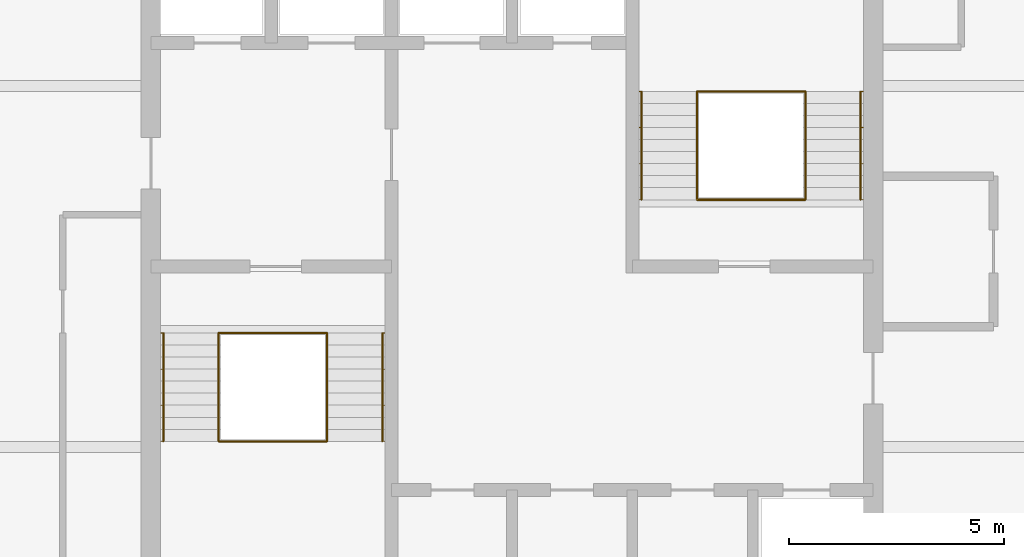
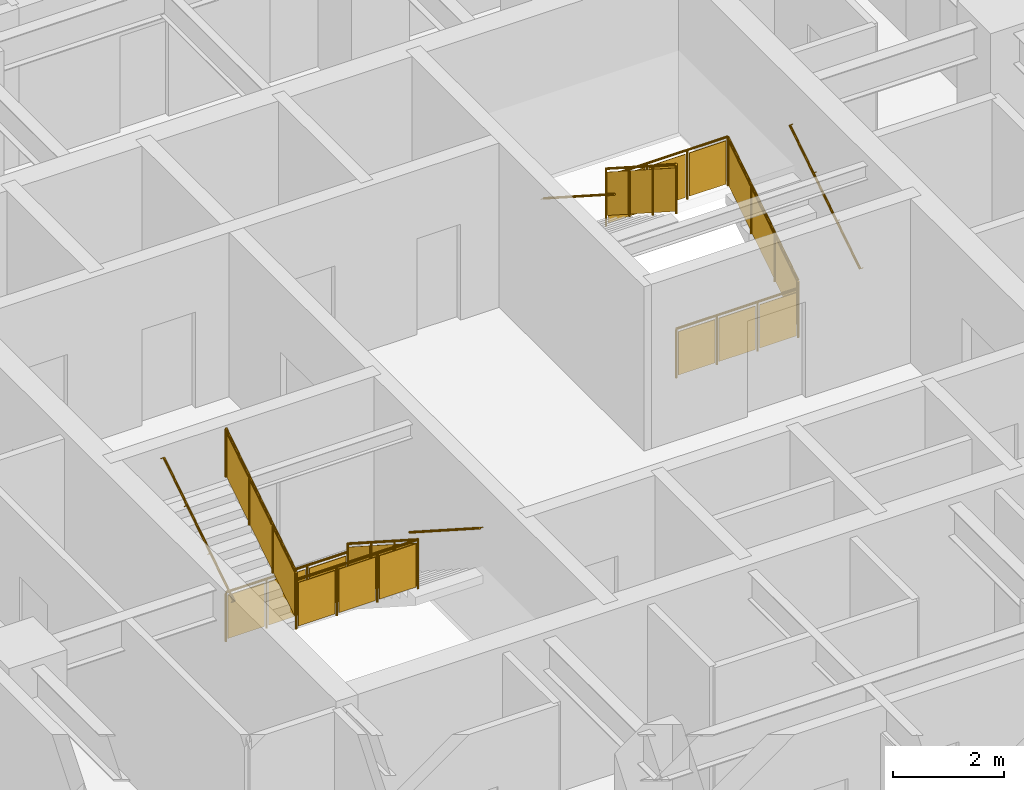
# One storey, part 10 of 10: 12 railings.
"""IFC4 building model written with IfcOpenShell, lengths in metres."""

from ifc_helpers import new_model, si_unit, direction, frame, origin, origin_2d, place, context, subcontext, project, spatial, polyline, circle, outline, extrude, material, type_object, element, save


model = new_model("IFC4")

# Units and contexts
model_context = context("Model", 3, precision=1e-05, world=origin(), true_north=direction((0.0, 1.0)))
body_context = subcontext(model_context, "Body", "Model", "MODEL_VIEW")
ifc_project = project(units=[si_unit("LENGTHUNIT", "METRE"), si_unit("AREAUNIT", "SQUARE_METRE"), si_unit("VOLUMEUNIT", "CUBIC_METRE"), si_unit("PLANEANGLEUNIT", "RADIAN"), si_unit("MASSUNIT", "GRAM", prefix="KILO")], contexts=[model_context])

# Site, building, storey
site_placement = place(None, origin())
site = spatial("IfcSite", under=ifc_project, at=site_placement, CompositionType="ELEMENT")
building_placement = place(site_placement, origin())
building = spatial("IfcBuilding", under=site, at=building_placement, Name="Torre Alcanfor", CompositionType="ELEMENT")
storey_placement = place(building_placement, frame((0.0, 0.0, 293.699951171875)))
storey = spatial("IfcBuildingStorey", under=building, at=storey_placement, Name="L77", CompositionType="ELEMENT", Elevation=293.699951171875)

# Railings
ifc_material_1 = material(Name="Steel ASTM A500 Grade C hollow sections", Category="steel")
railing_type_1 = type_object("IfcRailingType", Name="Stair guard and handrail 1100", PredefinedType="GUARDRAIL", material=ifc_material_1)
railing_1_placement = place(storey_placement, frame((25.10009765625, 27.85009765625, 0.179931640625)))
element("IfcRailing", 1, at=railing_1_placement, inside=storey, type_object=railing_type_1, Name="Stair guard S1 L77 flight 1", PredefinedType="GUARDRAIL", context=body_context, shape_type="SweptSolid", body=[
    extrude(circle(Radius=0.02392578125, at=origin_2d()), frame((0.0, 0.0, 1.076171875), z_axis=(0.0, -0.841162588446, 0.540782303519), x_axis=(1.0, 0.0, 0.0)), (0.0, 0.0, 1.0), 2.995849609375),
    extrude(circle(Radius=0.02099609375, at=origin_2d()), origin(), (0.0, 0.0, 1.0), 1.052001953125),
    extrude(circle(Radius=0.02099609375, at=origin_2d()), frame((0.0, -0.840087890625, 0.5400390625)), (0.0, 0.0, 1.0), 1.052001953125),
    extrude(circle(Radius=0.02099609375, at=origin_2d()), frame((0.0, -1.679931640625, 1.080078125)), (0.0, 0.0, 1.0), 1.052001953125),
    extrude(circle(Radius=0.02099609375, at=origin_2d()), frame((0.0, -2.52001953125, 1.6201171875)), (0.0, 0.0, 1.0), 1.052001953125),
    extrude(outline(polyline([(0.041015625, 0.076416015625), (0.799072265625, 0.563720703125), (0.799072265625, 1.515625), (0.041015625, 1.0283203125), (0.041015625, 0.076416015625)])), frame((0.005859375, 0.0, 0.0), z_axis=(-1.0, 0.0, 0.0), x_axis=(0.0, -1.0, 0.0)), (0.0, 0.0, 1.0), 0.011962890625),
    extrude(outline(polyline([(0.881103515625, 0.616455078125), (1.638916015625, 1.103759765625), (1.638916015625, 2.0556640625), (0.881103515625, 1.568359375), (0.881103515625, 0.616455078125)])), frame((0.005859375, 0.0, 0.0), z_axis=(-1.0, 0.0, 0.0), x_axis=(0.0, -1.0, 0.0)), (0.0, 0.0, 1.0), 0.011962890625),
    extrude(outline(polyline([(1.720947265625, 1.156494140625), (2.47900390625, 1.643798828125), (2.47900390625, 2.595703125), (1.720947265625, 2.1083984375), (1.720947265625, 1.156494140625)])), frame((0.005859375, 0.0, 0.0), z_axis=(-1.0, 0.0, 0.0), x_axis=(0.0, -1.0, 0.0)), (0.0, 0.0, 1.0), 0.011962890625),
])
railing_2_placement = place(storey_placement, frame((22.574951171875, 25.330078125, 1.97998046875)))
element("IfcRailing", 2, at=railing_2_placement, inside=storey, type_object=railing_type_1, Name="Stair guard S1 L77 flight 2", PredefinedType="GUARDRAIL", context=body_context, shape_type="SweptSolid", body=[
    extrude(circle(Radius=0.02392578125, at=origin_2d()), frame((0.0, 0.0, 1.076171875), z_axis=(0.0, 0.841162588446, 0.540782303519), x_axis=(-1.0, 0.0, 0.0)), (0.0, 0.0, 1.0), 2.995849609375),
    extrude(circle(Radius=0.02099609375, at=origin_2d()), origin(), (0.0, 0.0, 1.0), 1.052001953125),
    extrude(circle(Radius=0.02099609375, at=origin_2d()), frame((0.0, 0.840087890625, 0.5400390625)), (0.0, 0.0, 1.0), 1.052001953125),
    extrude(circle(Radius=0.02099609375, at=origin_2d()), frame((0.0, 1.679931640625, 1.080078125)), (0.0, 0.0, 1.0), 1.052001953125),
    extrude(circle(Radius=0.02099609375, at=origin_2d()), frame((0.0, 2.52001953125, 1.6201171875)), (0.0, 0.0, 1.0), 1.052001953125),
    extrude(outline(polyline([(0.041015625, 0.076416015625), (0.799072265625, 0.563720703125), (0.799072265625, 1.515625), (0.041015625, 1.0283203125), (0.041015625, 0.076416015625)])), frame((-0.005859375, 0.0, 0.0), z_axis=(1.0, 0.0, 0.0), x_axis=(0.0, 1.0, 0.0)), (0.0, 0.0, 1.0), 0.011962890625),
    extrude(outline(polyline([(0.881103515625, 0.616455078125), (1.638916015625, 1.103759765625), (1.638916015625, 2.0556640625), (0.881103515625, 1.568359375), (0.881103515625, 0.616455078125)])), frame((-0.005859375, 0.0, 0.0), z_axis=(1.0, 0.0, 0.0), x_axis=(0.0, 1.0, 0.0)), (0.0, 0.0, 1.0), 0.011962890625),
    extrude(outline(polyline([(1.720947265625, 1.156494140625), (2.47900390625, 1.643798828125), (2.47900390625, 2.595703125), (1.720947265625, 2.1083984375), (1.720947265625, 1.156494140625)])), frame((-0.005859375, 0.0, 0.0), z_axis=(1.0, 0.0, 0.0), x_axis=(0.0, 1.0, 0.0)), (0.0, 0.0, 1.0), 0.011962890625),
])
for number, where, name in (
    (3, (22.574951171875, 27.85009765625, 0.0), "Stair well guard S1 L77 floor landing"),
    (4, (22.574951171875, 25.330078125, 1.800048828125), "Stair well guard S1 L77 half landing"),
):
    element("IfcRailing", number, at=place(storey_placement, frame(where)), inside=storey, type_object=railing_type_1, Name=name, PredefinedType="GUARDRAIL", context=body_context, shape_type="SweptSolid", body=[
        extrude(circle(Radius=0.02392578125, at=origin_2d()), frame((0.0, 0.0, 1.076171875), z_axis=(1.0, 0.0, 0.0), x_axis=(0.0, 1.0, 0.0)), (0.0, 0.0, 1.0), 2.525146484375),
        extrude(circle(Radius=0.02099609375, at=origin_2d()), origin(), (0.0, 0.0, 1.0), 1.052001953125),
        extrude(circle(Radius=0.02099609375, at=origin_2d()), frame((0.841796875, 0.0, 0.0)), (0.0, 0.0, 1.0), 1.052001953125),
        extrude(circle(Radius=0.02099609375, at=origin_2d()), frame((1.683349609375, 0.0, 0.0)), (0.0, 0.0, 1.0), 1.052001953125),
        extrude(circle(Radius=0.02099609375, at=origin_2d()), frame((2.525146484375, 0.0, 0.0)), (0.0, 0.0, 1.0), 1.052001953125),
        extrude(outline(polyline([(0.041015625, 0.050048828125), (0.80078125, 0.050048828125), (0.80078125, 1.001953125), (0.041015625, 1.001953125), (0.041015625, 0.050048828125)])), frame((0.0, 0.005859375, 0.0), z_axis=(0.0, -1.0, 0.0), x_axis=(1.0, 0.0, 0.0)), (0.0, 0.0, 1.0), 0.011962890625),
        extrude(outline(polyline([(0.8828125, 0.050048828125), (1.642333984375, 0.050048828125), (1.642333984375, 1.001953125), (0.8828125, 1.001953125), (0.8828125, 0.050048828125)])), frame((0.0, 0.005859375, 0.0), z_axis=(0.0, -1.0, 0.0), x_axis=(1.0, 0.0, 0.0)), (0.0, 0.0, 1.0), 0.011962890625),
        extrude(outline(polyline([(1.724365234375, 0.050048828125), (2.484130859375, 0.050048828125), (2.484130859375, 1.001953125), (1.724365234375, 1.001953125), (1.724365234375, 0.050048828125)])), frame((0.0, 0.005859375, 0.0), z_axis=(0.0, -1.0, 0.0), x_axis=(1.0, 0.0, 0.0)), (0.0, 0.0, 1.0), 0.011962890625),
    ])
railing_3_placement = place(storey_placement, frame((36.22509765625, 30.949951171875, 0.179931640625)))
element("IfcRailing", 5, at=railing_3_placement, inside=storey, type_object=railing_type_1, Name="Stair guard S2 L77 flight 1", PredefinedType="GUARDRAIL", context=body_context, shape_type="SweptSolid", body=[
    extrude(circle(Radius=0.02392578125, at=origin_2d()), frame((0.0, 0.0, 1.076171875), z_axis=(0.0, 0.841162588446, 0.540782303519), x_axis=(-1.0, 0.0, 0.0)), (0.0, 0.0, 1.0), 2.995849609375),
    extrude(circle(Radius=0.02099609375, at=origin_2d()), origin(), (0.0, 0.0, 1.0), 1.052001953125),
    extrude(circle(Radius=0.02099609375, at=origin_2d()), frame((0.0, 0.840087890625, 0.5400390625)), (0.0, 0.0, 1.0), 1.052001953125),
    extrude(circle(Radius=0.02099609375, at=origin_2d()), frame((0.0, 1.679931640625, 1.080078125)), (0.0, 0.0, 1.0), 1.052001953125),
    extrude(circle(Radius=0.02099609375, at=origin_2d()), frame((0.0, 2.52001953125, 1.6201171875)), (0.0, 0.0, 1.0), 1.052001953125),
    extrude(outline(polyline([(0.041015625, 0.076416015625), (0.799072265625, 0.563720703125), (0.799072265625, 1.515625), (0.041015625, 1.0283203125), (0.041015625, 0.076416015625)])), frame((-0.005859375, 0.0, 0.0), z_axis=(1.0, 0.0, 0.0), x_axis=(0.0, 1.0, 0.0)), (0.0, 0.0, 1.0), 0.011962890625),
    extrude(outline(polyline([(0.881103515625, 0.616455078125), (1.638916015625, 1.103759765625), (1.638916015625, 2.0556640625), (0.881103515625, 1.568359375), (0.881103515625, 0.616455078125)])), frame((-0.005859375, 0.0, 0.0), z_axis=(1.0, 0.0, 0.0), x_axis=(0.0, 1.0, 0.0)), (0.0, 0.0, 1.0), 0.011962890625),
    extrude(outline(polyline([(1.720947265625, 1.156494140625), (2.47900390625, 1.643798828125), (2.47900390625, 2.595703125), (1.720947265625, 2.1083984375), (1.720947265625, 1.156494140625)])), frame((-0.005859375, 0.0, 0.0), z_axis=(1.0, 0.0, 0.0), x_axis=(0.0, 1.0, 0.0)), (0.0, 0.0, 1.0), 0.011962890625),
])
railing_4_placement = place(storey_placement, frame((33.699951171875, 33.469970703125, 1.97998046875)))
element("IfcRailing", 6, at=railing_4_placement, inside=storey, type_object=railing_type_1, Name="Stair guard S2 L77 flight 2", PredefinedType="GUARDRAIL", context=body_context, shape_type="SweptSolid", body=[
    extrude(circle(Radius=0.02392578125, at=origin_2d()), frame((0.0, 0.0, 1.076171875), z_axis=(0.0, -0.841162588446, 0.540782303519), x_axis=(1.0, 0.0, 0.0)), (0.0, 0.0, 1.0), 2.995849609375),
    extrude(circle(Radius=0.02099609375, at=origin_2d()), origin(), (0.0, 0.0, 1.0), 1.052001953125),
    extrude(circle(Radius=0.02099609375, at=origin_2d()), frame((0.0, -0.840087890625, 0.5400390625)), (0.0, 0.0, 1.0), 1.052001953125),
    extrude(circle(Radius=0.02099609375, at=origin_2d()), frame((0.0, -1.679931640625, 1.080078125)), (0.0, 0.0, 1.0), 1.052001953125),
    extrude(circle(Radius=0.02099609375, at=origin_2d()), frame((0.0, -2.52001953125, 1.6201171875)), (0.0, 0.0, 1.0), 1.052001953125),
    extrude(outline(polyline([(0.041015625, 0.076416015625), (0.799072265625, 0.563720703125), (0.799072265625, 1.515625), (0.041015625, 1.0283203125), (0.041015625, 0.076416015625)])), frame((0.005859375, 0.0, 0.0), z_axis=(-1.0, 0.0, 0.0), x_axis=(0.0, -1.0, 0.0)), (0.0, 0.0, 1.0), 0.011962890625),
    extrude(outline(polyline([(0.881103515625, 0.616455078125), (1.638916015625, 1.103759765625), (1.638916015625, 2.0556640625), (0.881103515625, 1.568359375), (0.881103515625, 0.616455078125)])), frame((0.005859375, 0.0, 0.0), z_axis=(-1.0, 0.0, 0.0), x_axis=(0.0, -1.0, 0.0)), (0.0, 0.0, 1.0), 0.011962890625),
    extrude(outline(polyline([(1.720947265625, 1.156494140625), (2.47900390625, 1.643798828125), (2.47900390625, 2.595703125), (1.720947265625, 2.1083984375), (1.720947265625, 1.156494140625)])), frame((0.005859375, 0.0, 0.0), z_axis=(-1.0, 0.0, 0.0), x_axis=(0.0, -1.0, 0.0)), (0.0, 0.0, 1.0), 0.011962890625),
])
for number, where, name in (
    (7, (33.699951171875, 30.949951171875, 0.0), "Stair well guard S2 L77 floor landing"),
    (8, (33.699951171875, 33.469970703125, 1.800048828125), "Stair well guard S2 L77 half landing"),
):
    element("IfcRailing", number, at=place(storey_placement, frame(where)), inside=storey, type_object=railing_type_1, Name=name, PredefinedType="GUARDRAIL", context=body_context, shape_type="SweptSolid", body=[
        extrude(circle(Radius=0.02392578125, at=origin_2d()), frame((0.0, 0.0, 1.076171875), z_axis=(1.0, 0.0, 0.0), x_axis=(0.0, 1.0, 0.0)), (0.0, 0.0, 1.0), 2.525146484375),
        extrude(circle(Radius=0.02099609375, at=origin_2d()), origin(), (0.0, 0.0, 1.0), 1.052001953125),
        extrude(circle(Radius=0.02099609375, at=origin_2d()), frame((0.841796875, 0.0, 0.0)), (0.0, 0.0, 1.0), 1.052001953125),
        extrude(circle(Radius=0.02099609375, at=origin_2d()), frame((1.683349609375, 0.0, 0.0)), (0.0, 0.0, 1.0), 1.052001953125),
        extrude(circle(Radius=0.02099609375, at=origin_2d()), frame((2.525146484375, 0.0, 0.0)), (0.0, 0.0, 1.0), 1.052001953125),
        extrude(outline(polyline([(0.041015625, 0.050048828125), (0.80078125, 0.050048828125), (0.80078125, 1.001953125), (0.041015625, 1.001953125), (0.041015625, 0.050048828125)])), frame((0.0, 0.005859375, 0.0), z_axis=(0.0, -1.0, 0.0), x_axis=(1.0, 0.0, 0.0)), (0.0, 0.0, 1.0), 0.011962890625),
        extrude(outline(polyline([(0.8828125, 0.050048828125), (1.642333984375, 0.050048828125), (1.642333984375, 1.001953125), (0.8828125, 1.001953125), (0.8828125, 0.050048828125)])), frame((0.0, 0.005859375, 0.0), z_axis=(0.0, -1.0, 0.0), x_axis=(1.0, 0.0, 0.0)), (0.0, 0.0, 1.0), 0.011962890625),
        extrude(outline(polyline([(1.724365234375, 0.050048828125), (2.484130859375, 0.050048828125), (2.484130859375, 1.001953125), (1.724365234375, 1.001953125), (1.724365234375, 0.050048828125)])), frame((0.0, 0.005859375, 0.0), z_axis=(0.0, -1.0, 0.0), x_axis=(1.0, 0.0, 0.0)), (0.0, 0.0, 1.0), 0.011962890625),
    ])
ifc_material_2 = material(Name="Steel ASTM A500 Grade C hollow sections", Category="steel")
railing_type_2 = type_object("IfcRailingType", Name="Stair wall handrail 900", PredefinedType="HANDRAIL", material=ifc_material_2)
railing_5_placement = place(storey_placement, frame((26.385009765625, 27.85009765625, 0.179931640625)))
element("IfcRailing", 9, at=railing_5_placement, inside=storey, type_object=railing_type_2, Name="Stair handrail S1 L77 flight 1", PredefinedType="HANDRAIL", context=body_context, shape_type="SweptSolid", body=[
    extrude(circle(Radius=0.02392578125, at=origin_2d()), frame((0.0, 0.0, 0.8759765625), z_axis=(0.0, -0.841162588446, 0.540782303519), x_axis=(1.0, 0.0, 0.0)), (0.0, 0.0, 1.0), 2.995849609375),
    extrude(circle(Radius=0.008056640625, at=origin_2d()), frame((0.0, 0.0, 0.8759765625), z_axis=(1.0, 0.0, 0.0), x_axis=(0.0, 0.0, 1.0)), (0.0, 0.0, 1.0), 0.06494140625),
    extrude(circle(Radius=0.008056640625, at=origin_2d()), frame((0.0, -0.840087890625, 1.416015625), z_axis=(1.0, 0.0, 0.0), x_axis=(0.0, 0.0, 1.0)), (0.0, 0.0, 1.0), 0.06494140625),
    extrude(circle(Radius=0.008056640625, at=origin_2d()), frame((0.0, -1.679931640625, 1.9560546875), z_axis=(1.0, 0.0, 0.0), x_axis=(0.0, 0.0, 1.0)), (0.0, 0.0, 1.0), 0.06494140625),
    extrude(circle(Radius=0.008056640625, at=origin_2d()), frame((0.0, -2.52001953125, 2.49609375), z_axis=(1.0, 0.0, 0.0), x_axis=(0.0, 0.0, 1.0)), (0.0, 0.0, 1.0), 0.06494140625),
])
railing_6_placement = place(storey_placement, frame((21.2900390625, 25.330078125, 1.97998046875)))
element("IfcRailing", 10, at=railing_6_placement, inside=storey, type_object=railing_type_2, Name="Stair handrail S1 L77 flight 2", PredefinedType="HANDRAIL", context=body_context, shape_type="SweptSolid", body=[
    extrude(circle(Radius=0.02392578125, at=origin_2d()), frame((0.0, 0.0, 0.8759765625), z_axis=(0.0, 0.841162588446, 0.540782303519), x_axis=(-1.0, 0.0, 0.0)), (0.0, 0.0, 1.0), 2.995849609375),
    extrude(circle(Radius=0.008056640625, at=origin_2d()), frame((0.0, 0.0, 0.8759765625), z_axis=(-1.0, 0.0, 0.0), x_axis=(0.0, 0.0, 1.0)), (0.0, 0.0, 1.0), 0.06494140625),
    extrude(circle(Radius=0.008056640625, at=origin_2d()), frame((0.0, 0.840087890625, 1.416015625), z_axis=(-1.0, 0.0, 0.0), x_axis=(0.0, 0.0, 1.0)), (0.0, 0.0, 1.0), 0.06494140625),
    extrude(circle(Radius=0.008056640625, at=origin_2d()), frame((0.0, 1.679931640625, 1.9560546875), z_axis=(-1.0, 0.0, 0.0), x_axis=(0.0, 0.0, 1.0)), (0.0, 0.0, 1.0), 0.06494140625),
    extrude(circle(Radius=0.008056640625, at=origin_2d()), frame((0.0, 2.52001953125, 2.49609375), z_axis=(-1.0, 0.0, 0.0), x_axis=(0.0, 0.0, 1.0)), (0.0, 0.0, 1.0), 0.06494140625),
])
railing_7_placement = place(storey_placement, frame((37.510009765625, 30.949951171875, 0.179931640625)))
element("IfcRailing", 11, at=railing_7_placement, inside=storey, type_object=railing_type_2, Name="Stair handrail S2 L77 flight 1", PredefinedType="HANDRAIL", context=body_context, shape_type="SweptSolid", body=[
    extrude(circle(Radius=0.02392578125, at=origin_2d()), frame((0.0, 0.0, 0.8759765625), z_axis=(0.0, 0.841162588446, 0.540782303519), x_axis=(-1.0, 0.0, 0.0)), (0.0, 0.0, 1.0), 2.995849609375),
    extrude(circle(Radius=0.008056640625, at=origin_2d()), frame((0.0, 0.0, 0.8759765625), z_axis=(1.0, 0.0, 0.0), x_axis=(0.0, 0.0, 1.0)), (0.0, 0.0, 1.0), 0.06494140625),
    extrude(circle(Radius=0.008056640625, at=origin_2d()), frame((0.0, 0.840087890625, 1.416015625), z_axis=(1.0, 0.0, 0.0), x_axis=(0.0, 0.0, 1.0)), (0.0, 0.0, 1.0), 0.06494140625),
    extrude(circle(Radius=0.008056640625, at=origin_2d()), frame((0.0, 1.679931640625, 1.9560546875), z_axis=(1.0, 0.0, 0.0), x_axis=(0.0, 0.0, 1.0)), (0.0, 0.0, 1.0), 0.06494140625),
    extrude(circle(Radius=0.008056640625, at=origin_2d()), frame((0.0, 2.52001953125, 2.49609375), z_axis=(1.0, 0.0, 0.0), x_axis=(0.0, 0.0, 1.0)), (0.0, 0.0, 1.0), 0.06494140625),
])
railing_8_placement = place(storey_placement, frame((32.4150390625, 33.469970703125, 1.97998046875)))
element("IfcRailing", 12, at=railing_8_placement, inside=storey, type_object=railing_type_2, Name="Stair handrail S2 L77 flight 2", PredefinedType="HANDRAIL", context=body_context, shape_type="SweptSolid", body=[
    extrude(circle(Radius=0.02392578125, at=origin_2d()), frame((0.0, 0.0, 0.8759765625), z_axis=(0.0, -0.841162588446, 0.540782303519), x_axis=(1.0, 0.0, 0.0)), (0.0, 0.0, 1.0), 2.995849609375),
    extrude(circle(Radius=0.008056640625, at=origin_2d()), frame((0.0, 0.0, 0.8759765625), z_axis=(-1.0, 0.0, 0.0), x_axis=(0.0, 0.0, 1.0)), (0.0, 0.0, 1.0), 0.06494140625),
    extrude(circle(Radius=0.008056640625, at=origin_2d()), frame((0.0, -0.840087890625, 1.416015625), z_axis=(-1.0, 0.0, 0.0), x_axis=(0.0, 0.0, 1.0)), (0.0, 0.0, 1.0), 0.06494140625),
    extrude(circle(Radius=0.008056640625, at=origin_2d()), frame((0.0, -1.679931640625, 1.9560546875), z_axis=(-1.0, 0.0, 0.0), x_axis=(0.0, 0.0, 1.0)), (0.0, 0.0, 1.0), 0.06494140625),
    extrude(circle(Radius=0.008056640625, at=origin_2d()), frame((0.0, -2.52001953125, 2.49609375), z_axis=(-1.0, 0.0, 0.0), x_axis=(0.0, 0.0, 1.0)), (0.0, 0.0, 1.0), 0.06494140625),
])

save(model, "model.ifc")
